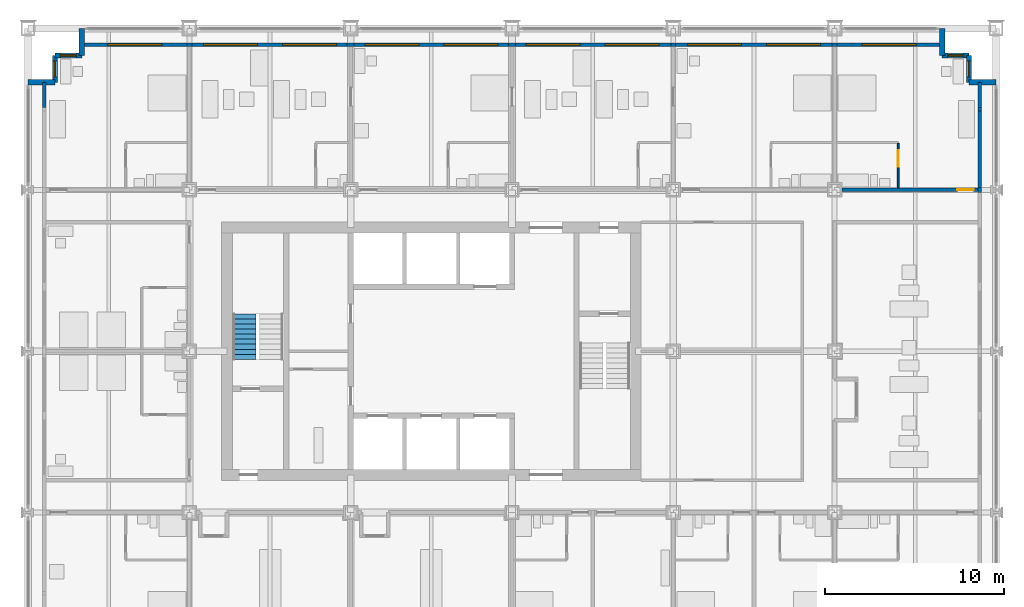
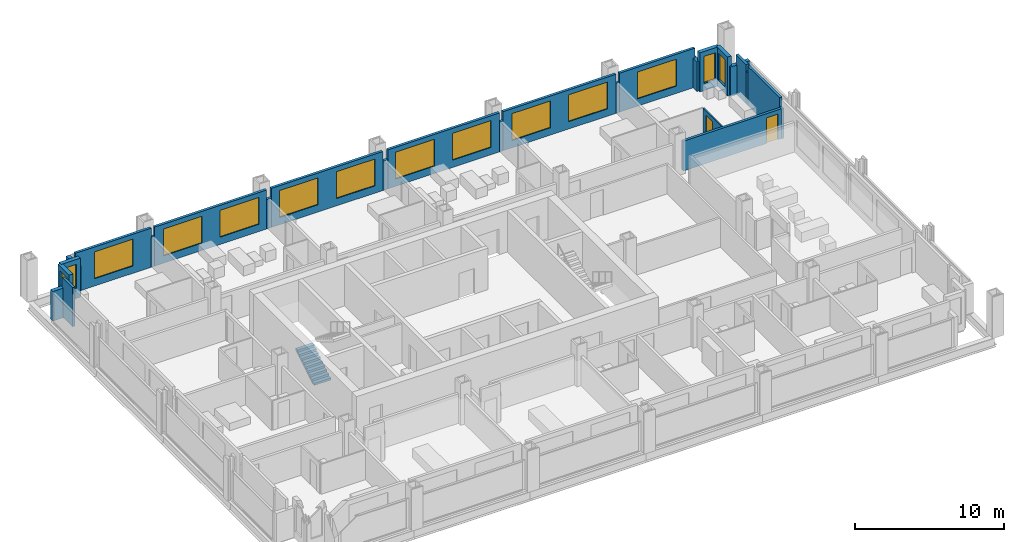
# One storey, part 14 of 18: 26 walls, 14 windows, 2 doors, 1 stair flight, 16 openings, 1 element without a shape of its own.
"""IFC4 building model written with IfcOpenShell, lengths in metres."""

from ifc_helpers import new_model, si_unit, direction, frame, frame_2d, origin, place, context, subcontext, project, spatial, polyline, rectangle, outline, extrude, material, layer, layer_set, type_object, element, fill, aggregate, save


model = new_model("IFC4")

# Units and contexts
model_context = context("Model", 3, precision=1e-05, world=origin(), true_north=direction((0.0, 1.0)))
body_context = subcontext(model_context, "Body", "Model", "MODEL_VIEW")
ifc_project = project(units=[si_unit("LENGTHUNIT", "METRE"), si_unit("AREAUNIT", "SQUARE_METRE"), si_unit("VOLUMEUNIT", "CUBIC_METRE"), si_unit("PLANEANGLEUNIT", "RADIAN"), si_unit("MASSUNIT", "GRAM", prefix="KILO")], contexts=[model_context])

# Site, building, storey
site_placement = place(None, origin())
site = spatial("IfcSite", under=ifc_project, at=site_placement, CompositionType="ELEMENT")
building_placement = place(site_placement, origin())
building = spatial("IfcBuilding", under=site, at=building_placement, Name="Loomwork Tower", CompositionType="ELEMENT")
storey_placement = place(building_placement, frame((0.0, 0.0, 28.0)))
storey = spatial("IfcBuildingStorey", under=building, at=storey_placement, Name="L05", CompositionType="ELEMENT", Elevation=28.0)

# Wall, opening, door
ifc_material_1 = material(Name="Gypsum board on steel studs, one-hour", Category="steel")
ifc_layer_1 = layer(ifc_material_1, 0.199951171875)
ifc_layer_set_1 = layer_set([ifc_layer_1], Name="Corridor wall 200")
wall_type_1 = type_object("IfcWallType", Name="Corridor wall 200", PredefinedType="PARTITIONING", material=ifc_layer_set_1)
wall_1_placement = place(storey_placement, frame((45.39990234375, 27.0, 0.0), z_axis=(0.0, 0.0, 1.0), x_axis=(1.0, 0.0, 0.0)))
wall_1 = element("IfcWall", 1, at=wall_1_placement, inside=storey, type_object=wall_type_1, Name="North corridor wall 6", PredefinedType="PARTITIONING", context=body_context, shape_type="SweptSolid", body=[
    extrude(rectangle(XDim=7.60009765625, YDim=0.199951171875, at=frame_2d((3.800048828125, 0.0))), origin(), (0.0, 0.0, 1.0), 2.43798828125),
])
opening_1_placement = place(wall_1_placement, frame((6.449951171875, 0.0, 0.0)))
opening_1 = element("IfcOpeningElement", 2, at=opening_1_placement, cuts=wall_1, Name="Opening D1", PredefinedType="OPENING", context=body_context, shape_type="SweptSolid", body=[
    extrude(rectangle(XDim=0.89990234375, YDim=2.10009765625, at=frame_2d((0.449951171875, 1.050048828125))), frame((0.0, 0.10986328125, 0.0), z_axis=(0.0, -1.0, 0.0), x_axis=(1.0, 0.0, 0.0)), (0.0, 0.0, 1.0), 0.219970703125),
])
ifc_material_2 = material(Name="Hollow metal door and frame")
door_type_1 = type_object("IfcDoorType", Name="Guest room entry door 900", OperationType="SINGLE_SWING_LEFT", PredefinedType="DOOR", material=ifc_material_2)
door_1_placement = place(opening_1_placement, origin())
door_1 = element("IfcDoor", 3, at=door_1_placement, inside=storey, type_object=door_type_1, Name="Guest room entry door L05 14", OperationType="SINGLE_SWING_RIGHT", OverallHeight=2.10009765625, OverallWidth=0.89990234375, PredefinedType="DOOR", context=body_context, shape_type="SweptSolid", body=[
    extrude(rectangle(XDim=0.89990234375, YDim=2.10009765625, at=frame_2d((0.449951171875, 1.050048828125))), frame((0.0, 0.02490234375, 0.0), z_axis=(0.0, -1.0, 0.0), x_axis=(1.0, 0.0, 0.0)), (0.0, 0.0, 1.0), 0.050048828125),
])
fill(opening_1, door_1)

ifc_material_3 = material(Name="Cement board on steel studs", Category="steel")
ifc_layer_2 = layer(ifc_material_3, 0.10009765625)
ifc_layer_set_2 = layer_set([ifc_layer_2], Name="En-suite partition 100")
wall_type_2 = type_object("IfcWallType", Name="En-suite partition 100", PredefinedType="PARTITIONING", material=ifc_layer_set_2)
wall_2_placement = place(storey_placement, frame((48.550048828125, 27.10009765625, 0.0), z_axis=(0.0, 0.0, 1.0), x_axis=(0.0, 1.0, 0.0)))
wall_2 = element("IfcWall", 4, at=wall_2_placement, inside=storey, type_object=wall_type_2, Name="En-suite side wall L05 room 14", PredefinedType="PARTITIONING", context=body_context, shape_type="SweptSolid", body=[
    extrude(rectangle(XDim=2.5, YDim=0.10009765625, at=frame_2d((1.25, 0.0))), origin(), (0.0, 0.0, 1.0), 2.43798828125),
])
opening_2_placement = place(wall_2_placement, frame((1.199951171875, 0.0, 0.0)))
opening_2 = element("IfcOpeningElement", 5, at=opening_2_placement, cuts=wall_2, Name="Opening D2", PredefinedType="OPENING", context=body_context, shape_type="SweptSolid", body=[
    extrude(rectangle(XDim=0.89990234375, YDim=2.10009765625, at=frame_2d((0.449951171875, 1.050048828125))), frame((0.0, 0.06005859375, 0.0), z_axis=(0.0, -1.0, 0.0), x_axis=(1.0, 0.0, 0.0)), (0.0, 0.0, 1.0), 0.1201171875),
])
ifc_material_4 = material(Name="Hollow metal door and frame")
door_type_2 = type_object("IfcDoorType", Name="En-suite door 900", OperationType="SINGLE_SWING_LEFT", PredefinedType="DOOR", material=ifc_material_4)
door_2_placement = place(opening_2_placement, origin())
door_2 = element("IfcDoor", 6, at=door_2_placement, inside=storey, type_object=door_type_2, Name="En-suite door room 14", OperationType="SINGLE_SWING_RIGHT", OverallHeight=2.10009765625, OverallWidth=0.89990234375, PredefinedType="DOOR", context=body_context, shape_type="SweptSolid", body=[
    extrude(rectangle(XDim=0.89990234375, YDim=2.10009765625, at=frame_2d((0.449951171875, 1.050048828125))), frame((0.0, 0.02490234375, 0.0), z_axis=(0.0, -1.0, 0.0), x_axis=(1.0, 0.0, 0.0)), (0.0, 0.0, 1.0), 0.050048828125),
])
fill(opening_2, door_2)

# Wall, opening, window
ifc_material_5 = material(Name="Insulated steel stud wall with gypsum lining", Category="steel")
ifc_layer_3 = layer(ifc_material_5, 0.199951171875)
ifc_layer_set_3 = layer_set([ifc_layer_3], Name="Inner skin wall 200")
wall_type_3 = type_object("IfcWallType", Name="Inner skin wall 200", PredefinedType="SOLIDWALL", material=ifc_layer_set_3)
wall_3_placement = place(storey_placement, frame((3.0, 35.10009765625, 0.0), z_axis=(0.0, 0.0, 1.0), x_axis=(1.0, 0.0, 0.0)))
wall_3 = element("IfcWall", 7, at=wall_3_placement, inside=storey, type_object=wall_type_3, Name="Inner skin wall N", PredefinedType="SOLIDWALL", context=body_context, shape_type="SweptSolid", body=[
    extrude(rectangle(XDim=5.86474609375, YDim=0.199951171875, at=frame_2d((2.932373046875, 0.0))), origin(), (0.0, 0.0, 1.0), 3.199951171875),
])
opening_3_placement = place(wall_3_placement, frame((1.449951171875, 0.0, 0.60009765625)))
opening_3 = element("IfcOpeningElement", 8, at=opening_3_placement, cuts=wall_3, Name="Opening CH1", PredefinedType="OPENING", context=body_context, shape_type="SweptSolid", body=[
    extrude(rectangle(XDim=3.0, YDim=2.199951171875, at=frame_2d((1.5, 1.10009765625))), frame((0.0, 0.10986328125, 0.0), z_axis=(0.0, -1.0, 0.0), x_axis=(1.0, 0.0, 0.0)), (0.0, 0.0, 1.0), 0.219970703125),
])
ifc_material_6 = material(Name="Aluminium frame with clear insulated glass", Category="aluminium")
window_type_1 = type_object("IfcWindowType", Name="Chicago window 3000", PartitioningType="TRIPLE_PANEL_VERTICAL", PredefinedType="WINDOW", material=ifc_material_6)
window_1_placement = place(opening_3_placement, origin())
window_1 = element("IfcWindow", 9, at=window_1_placement, inside=storey, type_object=window_type_1, Name="Chicago window L05 bay 7", OverallHeight=2.199951171875, OverallWidth=3.0, PartitioningType="TRIPLE_PANEL_VERTICAL", PredefinedType="WINDOW", context=body_context, shape_type="SweptSolid", body=[
    extrude(rectangle(XDim=3.0, YDim=2.199951171875, at=frame_2d((1.5, 1.10009765625))), frame((0.0, 0.030029296875, 0.0), z_axis=(0.0, -1.0, 0.0), x_axis=(1.0, 0.0, 0.0)), (0.0, 0.0, 1.0), 0.06005859375),
])
fill(opening_3, window_1)

# Walls
wall_4_placement = place(storey_placement, frame((0.89990234375, 31.607421875, 0.0), z_axis=(0.0, 0.0, 1.0), x_axis=(0.0, 1.0, 0.0)))
element("IfcWall", 10, at=wall_4_placement, inside=storey, type_object=wall_type_3, Name="Inner skin wall W bay 11", PredefinedType="SOLIDWALL", context=body_context, shape_type="SweptSolid", body=[
    extrude(rectangle(XDim=1.392578125, YDim=0.199951171875, at=frame_2d((0.6962890625, 0.0))), origin(), (0.0, 0.0, 1.0), 3.199951171875),
])
wall_5_placement = place(storey_placement, frame((8.86474609375, 35.10009765625, 0.0), z_axis=(0.0, 0.0, 1.0), x_axis=(1.0, 0.0, 0.0)))
element("IfcWall", 11, at=wall_5_placement, inside=storey, type_object=wall_type_3, Name="Inner skin wall N bay 2", PredefinedType="SOLIDWALL", context=body_context, shape_type="SweptSolid", body=[
    extrude(rectangle(XDim=0.2705078125, YDim=0.199951171875, at=frame_2d((0.13525390625, 0.0))), origin(), (0.0, 0.0, 1.0), 2.43798828125),
])

# Wall, openings, windows
wall_6_placement = place(storey_placement, frame((9.13525390625, 35.10009765625, 0.0), z_axis=(0.0, 0.0, 1.0), x_axis=(1.0, 0.0, 0.0)))
wall_6 = element("IfcWall", 12, at=wall_6_placement, inside=storey, type_object=wall_type_3, Name="Inner skin wall N bay 3", PredefinedType="SOLIDWALL", context=body_context, shape_type="SweptSolid", body=[
    extrude(rectangle(XDim=8.6708984375, YDim=0.199951171875, at=frame_2d((4.33544921875, 0.0))), origin(), (0.0, 0.0, 1.0), 3.199951171875),
])
opening_4_placement = place(wall_6_placement, frame((0.664794921875, 0.0, 0.60009765625)))
opening_4 = element("IfcOpeningElement", 13, at=opening_4_placement, cuts=wall_6, Name="Opening CH1", PredefinedType="OPENING", context=body_context, shape_type="SweptSolid", body=[
    extrude(rectangle(XDim=3.0, YDim=2.199951171875, at=frame_2d((1.5, 1.10009765625))), frame((0.0, 0.10986328125, 0.0), z_axis=(0.0, -1.0, 0.0), x_axis=(1.0, 0.0, 0.0)), (0.0, 0.0, 1.0), 0.219970703125),
])
opening_5_placement = place(wall_6_placement, frame((5.064697265625, 0.0, 0.60009765625)))
opening_5 = element("IfcOpeningElement", 14, at=opening_5_placement, cuts=wall_6, Name="Opening CH1", PredefinedType="OPENING", context=body_context, shape_type="SweptSolid", body=[
    extrude(rectangle(XDim=3.0, YDim=2.199951171875, at=frame_2d((1.5, 1.10009765625))), frame((0.0, 0.10986328125, 0.0), z_axis=(0.0, -1.0, 0.0), x_axis=(1.0, 0.0, 0.0)), (0.0, 0.0, 1.0), 0.219970703125),
])
window_2_placement = place(opening_4_placement, origin())
window_2 = element("IfcWindow", 15, at=window_2_placement, inside=storey, type_object=window_type_1, Name="Chicago window L05 bay 8", OverallHeight=2.199951171875, OverallWidth=3.0, PartitioningType="TRIPLE_PANEL_VERTICAL", PredefinedType="WINDOW", context=body_context, shape_type="SweptSolid", body=[
    extrude(rectangle(XDim=3.0, YDim=2.199951171875, at=frame_2d((1.5, 1.10009765625))), frame((0.0, 0.030029296875, 0.0), z_axis=(0.0, -1.0, 0.0), x_axis=(1.0, 0.0, 0.0)), (0.0, 0.0, 1.0), 0.06005859375),
])
fill(opening_4, window_2)
window_3_placement = place(opening_5_placement, origin())
window_3 = element("IfcWindow", 16, at=window_3_placement, inside=storey, type_object=window_type_1, Name="Chicago window L05 bay 8", OverallHeight=2.199951171875, OverallWidth=3.0, PartitioningType="TRIPLE_PANEL_VERTICAL", PredefinedType="WINDOW", context=body_context, shape_type="SweptSolid", body=[
    extrude(rectangle(XDim=3.0, YDim=2.199951171875, at=frame_2d((1.5, 1.10009765625))), frame((0.0, 0.030029296875, 0.0), z_axis=(0.0, -1.0, 0.0), x_axis=(1.0, 0.0, 0.0)), (0.0, 0.0, 1.0), 0.06005859375),
])
fill(opening_5, window_3)

# Wall
wall_7_placement = place(storey_placement, frame((17.80615234375, 35.10009765625, 0.0), z_axis=(0.0, 0.0, 1.0), x_axis=(1.0, 0.0, 0.0)))
element("IfcWall", 17, at=wall_7_placement, inside=storey, type_object=wall_type_3, Name="Inner skin wall N bay 4", PredefinedType="SOLIDWALL", context=body_context, shape_type="SweptSolid", body=[
    extrude(rectangle(XDim=0.3876953125, YDim=0.199951171875, at=frame_2d((0.19384765625, 0.0))), origin(), (0.0, 0.0, 1.0), 2.404052734375),
])

# Wall, openings, windows
wall_8_placement = place(storey_placement, frame((18.19384765625, 35.10009765625, 0.0), z_axis=(0.0, 0.0, 1.0), x_axis=(1.0, 0.0, 0.0)))
wall_8 = element("IfcWall", 18, at=wall_8_placement, inside=storey, type_object=wall_type_3, Name="Inner skin wall N bay 5", PredefinedType="SOLIDWALL", context=body_context, shape_type="SweptSolid", body=[
    extrude(rectangle(XDim=8.6123046875, YDim=0.199951171875, at=frame_2d((4.30615234375, 0.0))), origin(), (0.0, 0.0, 1.0), 3.199951171875),
])
opening_6_placement = place(wall_8_placement, frame((0.606201171875, 0.0, 0.60009765625)))
opening_6 = element("IfcOpeningElement", 19, at=opening_6_placement, cuts=wall_8, Name="Opening CH1", PredefinedType="OPENING", context=body_context, shape_type="SweptSolid", body=[
    extrude(rectangle(XDim=3.0, YDim=2.199951171875, at=frame_2d((1.5, 1.10009765625))), frame((0.0, 0.10986328125, 0.0), z_axis=(0.0, -1.0, 0.0), x_axis=(1.0, 0.0, 0.0)), (0.0, 0.0, 1.0), 0.219970703125),
])
opening_7_placement = place(wall_8_placement, frame((5.006103515625, 0.0, 0.60009765625)))
opening_7 = element("IfcOpeningElement", 20, at=opening_7_placement, cuts=wall_8, Name="Opening CH1", PredefinedType="OPENING", context=body_context, shape_type="SweptSolid", body=[
    extrude(rectangle(XDim=3.0, YDim=2.199951171875, at=frame_2d((1.5, 1.10009765625))), frame((0.0, 0.10986328125, 0.0), z_axis=(0.0, -1.0, 0.0), x_axis=(1.0, 0.0, 0.0)), (0.0, 0.0, 1.0), 0.219970703125),
])
window_4_placement = place(opening_6_placement, origin())
window_4 = element("IfcWindow", 21, at=window_4_placement, inside=storey, type_object=window_type_1, Name="Chicago window L05 bay 9", OverallHeight=2.199951171875, OverallWidth=3.0, PartitioningType="TRIPLE_PANEL_VERTICAL", PredefinedType="WINDOW", context=body_context, shape_type="SweptSolid", body=[
    extrude(rectangle(XDim=3.0, YDim=2.199951171875, at=frame_2d((1.5, 1.10009765625))), frame((0.0, 0.030029296875, 0.0), z_axis=(0.0, -1.0, 0.0), x_axis=(1.0, 0.0, 0.0)), (0.0, 0.0, 1.0), 0.06005859375),
])
fill(opening_6, window_4)
window_5_placement = place(opening_7_placement, origin())
window_5 = element("IfcWindow", 22, at=window_5_placement, inside=storey, type_object=window_type_1, Name="Chicago window L05 bay 9", OverallHeight=2.199951171875, OverallWidth=3.0, PartitioningType="TRIPLE_PANEL_VERTICAL", PredefinedType="WINDOW", context=body_context, shape_type="SweptSolid", body=[
    extrude(rectangle(XDim=3.0, YDim=2.199951171875, at=frame_2d((1.5, 1.10009765625))), frame((0.0, 0.030029296875, 0.0), z_axis=(0.0, -1.0, 0.0), x_axis=(1.0, 0.0, 0.0)), (0.0, 0.0, 1.0), 0.06005859375),
])
fill(opening_7, window_5)

# Wall
wall_9_placement = place(storey_placement, frame((26.80615234375, 35.10009765625, 0.0), z_axis=(0.0, 0.0, 1.0), x_axis=(1.0, 0.0, 0.0)))
element("IfcWall", 23, at=wall_9_placement, inside=storey, type_object=wall_type_3, Name="Inner skin wall N bay 6", PredefinedType="SOLIDWALL", context=body_context, shape_type="SweptSolid", body=[
    extrude(rectangle(XDim=0.3876953125, YDim=0.199951171875, at=frame_2d((0.19384765625, 0.0))), origin(), (0.0, 0.0, 1.0), 2.404052734375),
])

# Wall, openings, windows
wall_10_placement = place(storey_placement, frame((27.19384765625, 35.10009765625, 0.0), z_axis=(0.0, 0.0, 1.0), x_axis=(1.0, 0.0, 0.0)))
wall_10 = element("IfcWall", 24, at=wall_10_placement, inside=storey, type_object=wall_type_3, Name="Inner skin wall N bay 7", PredefinedType="SOLIDWALL", context=body_context, shape_type="SweptSolid", body=[
    extrude(rectangle(XDim=8.670654296875, YDim=0.199951171875, at=frame_2d((4.33544921875, 0.0))), origin(), (0.0, 0.0, 1.0), 3.199951171875),
])
opening_8_placement = place(wall_10_placement, frame((0.606201171875, 0.0, 0.60009765625)))
opening_8 = element("IfcOpeningElement", 25, at=opening_8_placement, cuts=wall_10, Name="Opening CH1", PredefinedType="OPENING", context=body_context, shape_type="SweptSolid", body=[
    extrude(rectangle(XDim=3.0, YDim=2.199951171875, at=frame_2d((1.5, 1.10009765625))), frame((0.0, 0.10986328125, 0.0), z_axis=(0.0, -1.0, 0.0), x_axis=(1.0, 0.0, 0.0)), (0.0, 0.0, 1.0), 0.219970703125),
])
opening_9_placement = place(wall_10_placement, frame((5.006103515625, 0.0, 0.60009765625)))
opening_9 = element("IfcOpeningElement", 26, at=opening_9_placement, cuts=wall_10, Name="Opening CH1", PredefinedType="OPENING", context=body_context, shape_type="SweptSolid", body=[
    extrude(rectangle(XDim=3.0, YDim=2.199951171875, at=frame_2d((1.5, 1.10009765625))), frame((0.0, 0.10986328125, 0.0), z_axis=(0.0, -1.0, 0.0), x_axis=(1.0, 0.0, 0.0)), (0.0, 0.0, 1.0), 0.219970703125),
])
window_6_placement = place(opening_8_placement, origin())
window_6 = element("IfcWindow", 27, at=window_6_placement, inside=storey, type_object=window_type_1, Name="Chicago window L05 bay 10", OverallHeight=2.199951171875, OverallWidth=3.0, PartitioningType="TRIPLE_PANEL_VERTICAL", PredefinedType="WINDOW", context=body_context, shape_type="SweptSolid", body=[
    extrude(rectangle(XDim=3.0, YDim=2.199951171875, at=frame_2d((1.5, 1.10009765625))), frame((0.0, 0.030029296875, 0.0), z_axis=(0.0, -1.0, 0.0), x_axis=(1.0, 0.0, 0.0)), (0.0, 0.0, 1.0), 0.06005859375),
])
fill(opening_8, window_6)
window_7_placement = place(opening_9_placement, origin())
window_7 = element("IfcWindow", 28, at=window_7_placement, inside=storey, type_object=window_type_1, Name="Chicago window L05 bay 10", OverallHeight=2.199951171875, OverallWidth=3.0, PartitioningType="TRIPLE_PANEL_VERTICAL", PredefinedType="WINDOW", context=body_context, shape_type="SweptSolid", body=[
    extrude(rectangle(XDim=3.0, YDim=2.199951171875, at=frame_2d((1.5, 1.10009765625))), frame((0.0, 0.030029296875, 0.0), z_axis=(0.0, -1.0, 0.0), x_axis=(1.0, 0.0, 0.0)), (0.0, 0.0, 1.0), 0.06005859375),
])
fill(opening_9, window_7)

# Wall
wall_11_placement = place(storey_placement, frame((35.864501953125, 35.10009765625, 0.0), z_axis=(0.0, 0.0, 1.0), x_axis=(1.0, 0.0, 0.0)))
element("IfcWall", 29, at=wall_11_placement, inside=storey, type_object=wall_type_3, Name="Inner skin wall N bay 8", PredefinedType="SOLIDWALL", context=body_context, shape_type="SweptSolid", body=[
    extrude(rectangle(XDim=0.27099609375, YDim=0.199951171875, at=frame_2d((0.135498046875, 0.0))), origin(), (0.0, 0.0, 1.0), 2.43798828125),
])

# Wall, openings, windows
wall_12_placement = place(storey_placement, frame((36.135498046875, 35.10009765625, 0.0), z_axis=(0.0, 0.0, 1.0), x_axis=(1.0, 0.0, 0.0)))
wall_12 = element("IfcWall", 30, at=wall_12_placement, inside=storey, type_object=wall_type_3, Name="Inner skin wall N bay 9", PredefinedType="SOLIDWALL", context=body_context, shape_type="SweptSolid", body=[
    extrude(rectangle(XDim=8.72900390625, YDim=0.199951171875, at=frame_2d((4.364501953125, 0.0))), origin(), (0.0, 0.0, 1.0), 3.199951171875),
])
opening_10_placement = place(wall_12_placement, frame((0.66455078125, 0.0, 0.60009765625)))
opening_10 = element("IfcOpeningElement", 31, at=opening_10_placement, cuts=wall_12, Name="Opening CH1", PredefinedType="OPENING", context=body_context, shape_type="SweptSolid", body=[
    extrude(rectangle(XDim=3.0, YDim=2.199951171875, at=frame_2d((1.5, 1.10009765625))), frame((0.0, 0.10986328125, 0.0), z_axis=(0.0, -1.0, 0.0), x_axis=(1.0, 0.0, 0.0)), (0.0, 0.0, 1.0), 0.219970703125),
])
opening_11_placement = place(wall_12_placement, frame((5.064697265625, 0.0, 0.60009765625)))
opening_11 = element("IfcOpeningElement", 32, at=opening_11_placement, cuts=wall_12, Name="Opening CH1", PredefinedType="OPENING", context=body_context, shape_type="SweptSolid", body=[
    extrude(rectangle(XDim=3.0, YDim=2.199951171875, at=frame_2d((1.5, 1.10009765625))), frame((0.0, 0.10986328125, 0.0), z_axis=(0.0, -1.0, 0.0), x_axis=(1.0, 0.0, 0.0)), (0.0, 0.0, 1.0), 0.219970703125),
])
window_8_placement = place(opening_10_placement, origin())
window_8 = element("IfcWindow", 33, at=window_8_placement, inside=storey, type_object=window_type_1, Name="Chicago window L05 bay 11", OverallHeight=2.199951171875, OverallWidth=3.0, PartitioningType="TRIPLE_PANEL_VERTICAL", PredefinedType="WINDOW", context=body_context, shape_type="SweptSolid", body=[
    extrude(rectangle(XDim=3.0, YDim=2.199951171875, at=frame_2d((1.5, 1.10009765625))), frame((0.0, 0.030029296875, 0.0), z_axis=(0.0, -1.0, 0.0), x_axis=(1.0, 0.0, 0.0)), (0.0, 0.0, 1.0), 0.06005859375),
])
fill(opening_10, window_8)
window_9_placement = place(opening_11_placement, origin())
window_9 = element("IfcWindow", 34, at=window_9_placement, inside=storey, type_object=window_type_1, Name="Chicago window L05 bay 11", OverallHeight=2.199951171875, OverallWidth=3.0, PartitioningType="TRIPLE_PANEL_VERTICAL", PredefinedType="WINDOW", context=body_context, shape_type="SweptSolid", body=[
    extrude(rectangle(XDim=3.0, YDim=2.199951171875, at=frame_2d((1.5, 1.10009765625))), frame((0.0, 0.030029296875, 0.0), z_axis=(0.0, -1.0, 0.0), x_axis=(1.0, 0.0, 0.0)), (0.0, 0.0, 1.0), 0.06005859375),
])
fill(opening_11, window_9)

# Wall
wall_13_placement = place(storey_placement, frame((44.864501953125, 35.10009765625, 0.0), z_axis=(0.0, 0.0, 1.0), x_axis=(1.0, 0.0, 0.0)))
element("IfcWall", 35, at=wall_13_placement, inside=storey, type_object=wall_type_3, Name="Inner skin wall N bay 10", PredefinedType="SOLIDWALL", context=body_context, shape_type="SweptSolid", body=[
    extrude(rectangle(XDim=0.27099609375, YDim=0.199951171875, at=frame_2d((0.135498046875, 0.0))), origin(), (0.0, 0.0, 1.0), 2.43798828125),
])

# Wall, opening, window
wall_14_placement = place(storey_placement, frame((45.135498046875, 35.10009765625, 0.0), z_axis=(0.0, 0.0, 1.0), x_axis=(1.0, 0.0, 0.0)))
wall_14 = element("IfcWall", 36, at=wall_14_placement, inside=storey, type_object=wall_type_3, Name="Inner skin wall N bay 11", PredefinedType="SOLIDWALL", context=body_context, shape_type="SweptSolid", body=[
    extrude(rectangle(XDim=5.864501953125, YDim=0.199951171875, at=frame_2d((2.93212890625, 0.0))), origin(), (0.0, 0.0, 1.0), 3.199951171875),
])
opening_12_placement = place(wall_14_placement, frame((1.41455078125, 0.0, 0.60009765625)))
opening_12 = element("IfcOpeningElement", 37, at=opening_12_placement, cuts=wall_14, Name="Opening CH1", PredefinedType="OPENING", context=body_context, shape_type="SweptSolid", body=[
    extrude(rectangle(XDim=3.0, YDim=2.199951171875, at=frame_2d((1.5, 1.10009765625))), frame((0.0, 0.10986328125, 0.0), z_axis=(0.0, -1.0, 0.0), x_axis=(1.0, 0.0, 0.0)), (0.0, 0.0, 1.0), 0.219970703125),
])
window_10_placement = place(opening_12_placement, origin())
window_10 = element("IfcWindow", 38, at=window_10_placement, inside=storey, type_object=window_type_1, Name="Chicago window L05 bay 12", OverallHeight=2.199951171875, OverallWidth=3.0, PartitioningType="TRIPLE_PANEL_VERTICAL", PredefinedType="WINDOW", context=body_context, shape_type="SweptSolid", body=[
    extrude(rectangle(XDim=3.0, YDim=2.199951171875, at=frame_2d((1.5, 1.10009765625))), frame((0.0, 0.030029296875, 0.0), z_axis=(0.0, -1.0, 0.0), x_axis=(1.0, 0.0, 0.0)), (0.0, 0.0, 1.0), 0.06005859375),
])
fill(opening_12, window_10)

# Walls
wall_15_placement = place(storey_placement, frame((53.10009765625, 26.86474609375, 0.0), z_axis=(0.0, 0.0, 1.0), x_axis=(0.0, 1.0, 0.0)))
element("IfcWall", 39, at=wall_15_placement, inside=storey, type_object=wall_type_3, Name="Inner skin wall E bay 8", PredefinedType="SOLIDWALL", context=body_context, shape_type="SweptSolid", body=[
    extrude(rectangle(XDim=0.2705078125, YDim=0.199951171875, at=frame_2d((0.13525390625, 0.0))), origin(), (0.0, 0.0, 1.0), 2.43798828125),
])
wall_16_placement = place(storey_placement, frame((53.10009765625, 27.13525390625, 0.0), z_axis=(0.0, 0.0, 1.0), x_axis=(0.0, 1.0, 0.0)))
element("IfcWall", 40, at=wall_16_placement, inside=storey, type_object=wall_type_3, Name="Inner skin wall E bay 9", PredefinedType="SOLIDWALL", context=body_context, shape_type="SweptSolid", body=[
    extrude(rectangle(XDim=4.25732421875, YDim=0.199951171875, at=frame_2d((2.128662109375, 0.0))), origin(), (0.0, 0.0, 1.0), 3.199951171875),
])
wall_17_placement = place(storey_placement, frame((53.10009765625, 31.392578125, 0.0), z_axis=(0.0, 0.0, 1.0), x_axis=(0.0, 1.0, 0.0)))
element("IfcWall", 41, at=wall_17_placement, inside=storey, type_object=wall_type_3, Name="Inner skin wall E bay 10", PredefinedType="SOLIDWALL", context=body_context, shape_type="SweptSolid", body=[
    extrude(rectangle(XDim=0.21484375, YDim=0.199951171875, at=frame_2d((0.107421875, 0.0))), origin(), (0.0, 0.0, 1.0), 2.660888671875),
])
wall_18_placement = place(storey_placement, frame((53.10009765625, 31.607421875, 0.0), z_axis=(0.0, 0.0, 1.0), x_axis=(0.0, 1.0, 0.0)))
element("IfcWall", 42, at=wall_18_placement, inside=storey, type_object=wall_type_3, Name="Inner skin wall E bay 11", PredefinedType="SOLIDWALL", context=body_context, shape_type="SweptSolid", body=[
    extrude(rectangle(XDim=1.392578125, YDim=0.199951171875, at=frame_2d((0.6962890625, 0.0))), origin(), (0.0, 0.0, 1.0), 3.199951171875),
])
ifc_material_7 = material(Name="Limestone on concrete masonry", Category="masonry")
ifc_layer_4 = layer(ifc_material_7, 0.300048828125)
ifc_layer_set_4 = layer_set([ifc_layer_4], Name="Limestone corner wall 300")
wall_type_4 = type_object("IfcWallType", Name="Limestone corner wall 300", PredefinedType="SOLIDWALL", material=ifc_layer_set_4)
wall_19_placement = place(storey_placement, frame((54.0, 33.0, 0.0), z_axis=(0.0, 0.0, 1.0), x_axis=(-1.0, 0.0, 0.0)))
element("IfcWall", 43, at=wall_19_placement, inside=storey, type_object=wall_type_4, Name="Stone corner wall NE 1", PredefinedType="SOLIDWALL", context=body_context, shape_type="SweptSolid", body=[
    extrude(rectangle(XDim=1.5, YDim=0.300048828125, at=frame_2d((0.75, 0.0))), origin(), (0.0, 0.0, 1.0), 2.419921875),
])

# Wall, opening, window
wall_20_placement = place(storey_placement, frame((52.5, 33.0, 0.0), z_axis=(0.0, 0.0, 1.0), x_axis=(0.0, 1.0, 0.0)))
wall_20 = element("IfcWall", 44, at=wall_20_placement, inside=storey, type_object=wall_type_4, Name="Stone corner wall NE 2", PredefinedType="SOLIDWALL", context=body_context, shape_type="SweptSolid", body=[
    extrude(rectangle(XDim=1.5, YDim=0.300048828125, at=frame_2d((0.75, 0.0))), origin(), (0.0, 0.0, 1.0), 3.199951171875),
])
opening_13_placement = place(wall_20_placement, frame((0.300048828125, 0.0, 0.60009765625)))
opening_13 = element("IfcOpeningElement", 45, at=opening_13_placement, cuts=wall_20, Name="Opening CH2", PredefinedType="OPENING", context=body_context, shape_type="SweptSolid", body=[
    extrude(rectangle(XDim=0.89990234375, YDim=2.199951171875, at=frame_2d((0.449951171875, 1.10009765625))), frame((0.0, 0.159912109375, 0.0), z_axis=(0.0, -1.0, 0.0), x_axis=(1.0, 0.0, 0.0)), (0.0, 0.0, 1.0), 0.320068359375),
])
ifc_material_8 = material(Name="Aluminium frame with clear insulated glass", Category="aluminium")
window_type_2 = type_object("IfcWindowType", Name="Corner window 900", PartitioningType="SINGLE_PANEL", PredefinedType="WINDOW", material=ifc_material_8)
window_11_placement = place(opening_13_placement, origin())
window_11 = element("IfcWindow", 46, at=window_11_placement, inside=storey, type_object=window_type_2, Name="Corner window NE", OverallHeight=2.199951171875, OverallWidth=0.89990234375, PartitioningType="SINGLE_PANEL", PredefinedType="WINDOW", context=body_context, shape_type="SweptSolid", body=[
    extrude(rectangle(XDim=0.89990234375, YDim=2.199951171875, at=frame_2d((0.449951171875, 1.10009765625))), frame((0.0, 0.030029296875, 0.0), z_axis=(0.0, -1.0, 0.0), x_axis=(1.0, 0.0, 0.0)), (0.0, 0.0, 1.0), 0.06005859375),
])
fill(opening_13, window_11)

wall_21_placement = place(storey_placement, frame((52.5, 34.5, 0.0), z_axis=(0.0, 0.0, 1.0), x_axis=(-1.0, 0.0, 0.0)))
wall_21 = element("IfcWall", 47, at=wall_21_placement, inside=storey, type_object=wall_type_4, Name="Stone corner wall NE 3", PredefinedType="SOLIDWALL", context=body_context, shape_type="SweptSolid", body=[
    extrude(rectangle(XDim=1.5, YDim=0.300048828125, at=frame_2d((0.75, 0.0))), origin(), (0.0, 0.0, 1.0), 3.199951171875),
])
opening_14_placement = place(wall_21_placement, frame((0.300048828125, 0.0, 0.60009765625)))
opening_14 = element("IfcOpeningElement", 48, at=opening_14_placement, cuts=wall_21, Name="Opening CH2", PredefinedType="OPENING", context=body_context, shape_type="SweptSolid", body=[
    extrude(rectangle(XDim=0.89990234375, YDim=2.199951171875, at=frame_2d((0.449951171875, 1.10009765625))), frame((0.0, 0.159912109375, 0.0), z_axis=(0.0, -1.0, 0.0), x_axis=(1.0, 0.0, 0.0)), (0.0, 0.0, 1.0), 0.320068359375),
])
window_12_placement = place(opening_14_placement, origin())
window_12 = element("IfcWindow", 49, at=window_12_placement, inside=storey, type_object=window_type_2, Name="Corner window NE", OverallHeight=2.199951171875, OverallWidth=0.89990234375, PartitioningType="SINGLE_PANEL", PredefinedType="WINDOW", context=body_context, shape_type="SweptSolid", body=[
    extrude(rectangle(XDim=0.89990234375, YDim=2.199951171875, at=frame_2d((0.449951171875, 1.10009765625))), frame((0.0, 0.030029296875, 0.0), z_axis=(0.0, -1.0, 0.0), x_axis=(1.0, 0.0, 0.0)), (0.0, 0.0, 1.0), 0.06005859375),
])
fill(opening_14, window_12)

# Walls
for number, where, z_axis, x_axis, name in (
    (50, (51.0, 34.5, 0.0), (0.0, 0.0, 1.0), (0.0, 1.0, 0.0), "Stone corner wall NE 4"),
    (51, (3.0, 36.0, 0.0), (0.0, 0.0, 1.0), (0.0, -1.0, 0.0), "Stone corner wall NW 1"),
):
    element("IfcWall", number, at=place(storey_placement, frame(where, z_axis=z_axis, x_axis=x_axis)), inside=storey, type_object=wall_type_4, Name=name, PredefinedType="SOLIDWALL", context=body_context, shape_type="SweptSolid", body=[
        extrude(rectangle(XDim=1.5, YDim=0.300048828125, at=frame_2d((0.75, 0.0))), origin(), (0.0, 0.0, 1.0), 2.419921875),
    ])

# Wall, opening, window
wall_22_placement = place(storey_placement, frame((3.0, 34.5, 0.0), z_axis=(0.0, 0.0, 1.0), x_axis=(-1.0, 0.0, 0.0)))
wall_22 = element("IfcWall", 52, at=wall_22_placement, inside=storey, type_object=wall_type_4, Name="Stone corner wall NW 2", PredefinedType="SOLIDWALL", context=body_context, shape_type="SweptSolid", body=[
    extrude(rectangle(XDim=1.5, YDim=0.300048828125, at=frame_2d((0.75, 0.0))), origin(), (0.0, 0.0, 1.0), 3.199951171875),
])
opening_15_placement = place(wall_22_placement, frame((0.300048828125, 0.0, 0.60009765625)))
opening_15 = element("IfcOpeningElement", 53, at=opening_15_placement, cuts=wall_22, Name="Opening CH2", PredefinedType="OPENING", context=body_context, shape_type="SweptSolid", body=[
    extrude(rectangle(XDim=0.89990234375, YDim=2.199951171875, at=frame_2d((0.449951171875, 1.10009765625))), frame((0.0, 0.159912109375, 0.0), z_axis=(0.0, -1.0, 0.0), x_axis=(1.0, 0.0, 0.0)), (0.0, 0.0, 1.0), 0.320068359375),
])
window_13_placement = place(opening_15_placement, origin())
window_13 = element("IfcWindow", 54, at=window_13_placement, inside=storey, type_object=window_type_2, Name="Corner window NW", OverallHeight=2.199951171875, OverallWidth=0.89990234375, PartitioningType="SINGLE_PANEL", PredefinedType="WINDOW", context=body_context, shape_type="SweptSolid", body=[
    extrude(rectangle(XDim=0.89990234375, YDim=2.199951171875, at=frame_2d((0.449951171875, 1.10009765625))), frame((0.0, 0.030029296875, 0.0), z_axis=(0.0, -1.0, 0.0), x_axis=(1.0, 0.0, 0.0)), (0.0, 0.0, 1.0), 0.06005859375),
])
fill(opening_15, window_13)

wall_23_placement = place(storey_placement, frame((1.5, 34.5, 0.0), z_axis=(0.0, 0.0, 1.0), x_axis=(0.0, -1.0, 0.0)))
wall_23 = element("IfcWall", 55, at=wall_23_placement, inside=storey, type_object=wall_type_4, Name="Stone corner wall NW 3", PredefinedType="SOLIDWALL", context=body_context, shape_type="SweptSolid", body=[
    extrude(rectangle(XDim=1.5, YDim=0.300048828125, at=frame_2d((0.75, 0.0))), origin(), (0.0, 0.0, 1.0), 3.199951171875),
])
opening_16_placement = place(wall_23_placement, frame((0.300048828125, 0.0, 0.60009765625)))
opening_16 = element("IfcOpeningElement", 56, at=opening_16_placement, cuts=wall_23, Name="Opening CH2", PredefinedType="OPENING", context=body_context, shape_type="SweptSolid", body=[
    extrude(rectangle(XDim=0.89990234375, YDim=2.199951171875, at=frame_2d((0.449951171875, 1.10009765625))), frame((0.0, 0.159912109375, 0.0), z_axis=(0.0, -1.0, 0.0), x_axis=(1.0, 0.0, 0.0)), (0.0, 0.0, 1.0), 0.320068359375),
])
window_14_placement = place(opening_16_placement, origin())
window_14 = element("IfcWindow", 57, at=window_14_placement, inside=storey, type_object=window_type_2, Name="Corner window NW", OverallHeight=2.199951171875, OverallWidth=0.89990234375, PartitioningType="SINGLE_PANEL", PredefinedType="WINDOW", context=body_context, shape_type="SweptSolid", body=[
    extrude(rectangle(XDim=0.89990234375, YDim=2.199951171875, at=frame_2d((0.449951171875, 1.10009765625))), frame((0.0, 0.030029296875, 0.0), z_axis=(0.0, -1.0, 0.0), x_axis=(1.0, 0.0, 0.0)), (0.0, 0.0, 1.0), 0.06005859375),
])
fill(opening_16, window_14)

# Wall
wall_24_placement = place(storey_placement, frame((1.5, 33.0, 0.0), z_axis=(0.0, 0.0, 1.0), x_axis=(-1.0, 0.0, 0.0)))
element("IfcWall", 58, at=wall_24_placement, inside=storey, type_object=wall_type_4, Name="Stone corner wall NW 4", PredefinedType="SOLIDWALL", context=body_context, shape_type="SweptSolid", body=[
    extrude(rectangle(XDim=1.5, YDim=0.300048828125, at=frame_2d((0.75, 0.0))), origin(), (0.0, 0.0, 1.0), 2.419921875),
])

# Stair, stair flight
ifc_material_9 = material(Name="Concrete 5000 psi (34 MPa) precast stair", Category="concrete")
stair_type = type_object("IfcStairType", Name="Stair ST-A 20 risers 2850 wide", PredefinedType="HALF_TURN_STAIR", material=ifc_material_9)
stair_placement = place(storey_placement, origin())
stair = element("IfcStair", 59, at=stair_placement, inside=storey, type_object=stair_type, Name="Stair A L05", PredefinedType="HALF_TURN_STAIR")
ifc_material_10 = material(Name="Concrete 5000 psi (34 MPa) precast stair", Category="concrete")
stair_flight_type = type_object("IfcStairFlightType", Name="Stair flight ST-A 10 risers 1300 wide", PredefinedType="STRAIGHT", material=ifc_material_10)
stair_flight_placement = place(storey_placement, frame((12.074951171875, 17.550048828125, 0.0), z_axis=(0.0, 0.0, 1.0), x_axis=(0.0, 1.0, 0.0)))
stair_flight = element("IfcStairFlight", 60, at=stair_flight_placement, type_object=stair_flight_type, Name="ST-A flight 1", NumberOfRisers=10, NumberOfTreads=9, PredefinedType="STRAIGHT", RiserHeight=0.17, TreadLength=0.28, context=body_context, shape_type="SweptSolid", body=[
    extrude(outline(polyline([(0.0, 0.0), (0.0, 0.169921875), (0.280029296875, 0.169921875), (0.280029296875, 0.340087890625), (0.56005859375, 0.340087890625), (0.56005859375, 0.510009765625), (0.840087890625, 0.510009765625), (0.840087890625, 0.679931640625), (1.1201171875, 0.679931640625), (1.1201171875, 0.85009765625), (1.39990234375, 0.85009765625), (1.39990234375, 1.02001953125), (1.679931640625, 1.02001953125), (1.679931640625, 1.18994140625), (1.9599609375, 1.18994140625), (1.9599609375, 1.360107421875), (2.239990234375, 1.360107421875), (2.239990234375, 1.530029296875), (2.52001953125, 1.530029296875), (2.52001953125, 1.699951171875), (2.52001953125, 1.354736328125), (0.288818359375, 0.0), (0.0, 0.0)])), frame((0.0, 0.64990234375, 0.0), z_axis=(0.0, -1.0, 0.0), x_axis=(1.0, 0.0, 0.0)), (0.0, 0.0, 1.0), 1.300048828125),
])
aggregate(stair, [stair_flight])

save(model, "model.ifc")
